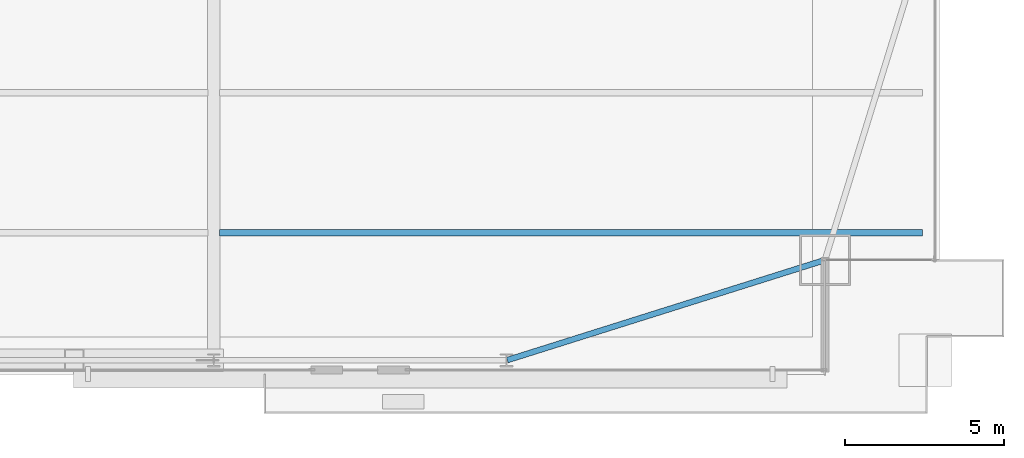
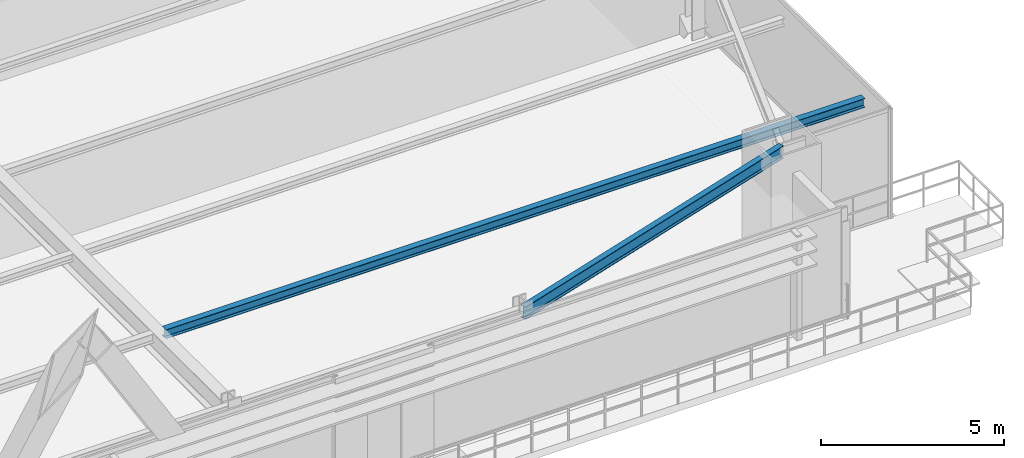
# One storey, part 16 of 34: 2 beams.
"""IFC4 building model written with IfcOpenShell, lengths in metres."""

import ifcopenshell
import ifcopenshell.guid

model = None  # the IFC model being written
_history = None  # IfcOwnerHistory: only IFC2X3 demands one
_inside = {}  # id of a spatial element -> (the spatial element, [elements in it])
_under = {}  # id of a project, library or spatial element -> (it, [spatial elements below it])
_declared = {}  # id of a project -> (the project, [libraries it declares])
_typed = {}  # id of a type object -> (the type object, [elements of that type])
_made_of = {}  # id of a material, layer set ... -> (it, [elements and type objects made of it])


def new_model(schema):
    """Start an empty IFC model of exactly this schema.

    Asked for "IFC4X3", IfcOpenShell would pick the latest addendum, in which some entities
    have other attributes; the version numbers below select the first issue.
    IFC2X3 requires an IfcOwnerHistory on every rooted entity: one is made here for all.
    """
    global model, _history
    if schema == "IFC4X3":
        model = ifcopenshell.file(schema_version=(4, 3, 0, 0))
    else:
        model = ifcopenshell.file(schema=schema)
    _inside.clear()
    _under.clear()
    _declared.clear()
    _typed.clear()
    _made_of.clear()
    _history = None
    if model.schema == "IFC2X3":
        org = make("IfcOrganization", Name="unknown")
        user = make(
            "IfcPersonAndOrganization",
            ThePerson=make("IfcPerson", FamilyName="unknown"),
            TheOrganization=org,
        )
        app = make(
            "IfcApplication",
            ApplicationDeveloper=org,
            Version="unknown",
            ApplicationFullName="unknown",
            ApplicationIdentifier="unknown",
        )
        _history = make(
            "IfcOwnerHistory",
            OwningUser=user,
            OwningApplication=app,
            ChangeAction="ADDED",
            CreationDate=0,
        )
    return model


def make(cls, **values):
    """One entity of the class cls with the attributes given. An attribute that is None is left unset."""
    return model.create_entity(
        cls, **{name: value for name, value in values.items() if value is not None}
    )


def rooted(cls, **values):
    """An entity with a GlobalId (a new one), such as an element, a storey or a relation."""
    return make(cls, GlobalId=ifcopenshell.guid.new(), OwnerHistory=_history, **values)


def si_unit(unit_type, name, prefix=None):
    """IfcSIUnit, for example si_unit("LENGTHUNIT", "METRE", prefix="MILLI")."""
    return make("IfcSIUnit", UnitType=unit_type, Prefix=prefix, Name=name)


def assignment(units):
    """IfcUnitAssignment: the units of a project."""
    return None if units is None else make("IfcUnitAssignment", Units=units)


def point(xyz):
    """IfcCartesianPoint."""
    return None if xyz is None else make("IfcCartesianPoint", Coordinates=xyz)


def direction(xyz):
    """IfcDirection."""
    return None if xyz is None else make("IfcDirection", DirectionRatios=xyz)


def frame(location, z_axis=None, x_axis=None):
    """IfcAxis2Placement3D, a coordinate frame: its origin and axes. An axis left out is left unset."""
    return make(
        "IfcAxis2Placement3D",
        Location=point(location),
        Axis=direction(z_axis),
        RefDirection=direction(x_axis),
    )


def frame_2d(location, x_axis=None):
    """IfcAxis2Placement2D, a coordinate frame in the plane: its origin and x axis."""
    return make(
        "IfcAxis2Placement2D", Location=point(location), RefDirection=direction(x_axis)
    )


def origin():
    """The frame at (0, 0, 0) with its axes left unset."""
    return frame((0.0, 0.0, 0.0))


def origin_2d():
    """The frame at (0, 0) in the plane with its x axis left unset."""
    return frame_2d((0.0, 0.0))


def place(relative_to, where):
    """IfcLocalPlacement: puts the frame where relative to a parent placement (None: the world)."""
    return make(
        "IfcLocalPlacement", PlacementRelTo=relative_to, RelativePlacement=where
    )


def context(
    kind, dimensions, precision=None, world=None, true_north=None, identifier=None
):
    """IfcGeometricRepresentationContext, for example the 3D "Model" context."""
    return make(
        "IfcGeometricRepresentationContext",
        ContextIdentifier=identifier,
        ContextType=kind,
        CoordinateSpaceDimension=dimensions,
        Precision=precision,
        WorldCoordinateSystem=world,
        TrueNorth=true_north,
    )


def subcontext(parent, identifier, kind, view, scale=None):
    """IfcGeometricRepresentationSubContext, for example "Body" below "Model"."""
    return make(
        "IfcGeometricRepresentationSubContext",
        ContextIdentifier=identifier,
        ContextType=kind,
        ParentContext=parent,
        TargetScale=scale,
        TargetView=view,
    )


def project(units=None, contexts=None):
    """IfcProject with its units and contexts."""
    return rooted(
        "IfcProject",
        Name="project",
        RepresentationContexts=contexts,
        UnitsInContext=assignment(units),
    )


def spatial(cls, under=None, at=None, **own):
    """A site, building, storey or space (cls), placed at a placement, below another one or the project."""
    s = rooted(cls, ObjectPlacement=at, **own)
    if under is not None:
        _under.setdefault(under.id(), (under, []))[1].append(s)
    return s


def profile(cls, at=None, kind="AREA", **sizes):
    """A parametric profile (cls). Its sizes go by their IFC names, for example OverallWidth=200.0."""
    return make(cls, ProfileType=kind, Position=at, **sizes)


def i_section(**sizes):
    """IfcIShapeProfileDef."""
    return profile("IfcIShapeProfileDef", **sizes)


def extrude(swept, where, along, depth):
    """IfcExtrudedAreaSolid: the profile swept, set in the frame where, extruded along a direction by depth."""
    return make(
        "IfcExtrudedAreaSolid",
        SweptArea=swept,
        Position=where,
        ExtrudedDirection=direction(along),
        Depth=depth,
    )


def shape(context_of_items, identifier, shape_type, items):
    """IfcShapeRepresentation: the items that make up one representation, for example the "Body"."""
    return make(
        "IfcShapeRepresentation",
        ContextOfItems=context_of_items,
        RepresentationIdentifier=identifier,
        RepresentationType=shape_type,
        Items=items,
    )


def source(mapping_origin, context_of_items, identifier, shape_type, items):
    """IfcRepresentationMap: a shape defined once, which mapped items show again and again."""
    return make(
        "IfcRepresentationMap",
        MappingOrigin=mapping_origin,
        MappedRepresentation=shape(context_of_items, identifier, shape_type, items),
    )


def transform(
    local_origin,
    x_axis=None,
    y_axis=None,
    z_axis=None,
    scale=None,
    scale2=None,
    scale3=None,
    uniform=True,
):
    """IfcCartesianTransformationOperator3D, or its non-uniform kind. x_axis, y_axis, z_axis: its Axis1, 2, 3."""
    if uniform:
        return make(
            "IfcCartesianTransformationOperator3D",
            Axis1=direction(x_axis),
            Axis2=direction(y_axis),
            LocalOrigin=point(local_origin),
            Scale=scale,
            Axis3=direction(z_axis),
        )
    return make(
        "IfcCartesianTransformationOperator3DnonUniform",
        Axis1=direction(x_axis),
        Axis2=direction(y_axis),
        LocalOrigin=point(local_origin),
        Scale=scale,
        Axis3=direction(z_axis),
        Scale2=scale2,
        Scale3=scale3,
    )


def mapped(mapping_source, mapping_target):
    """IfcMappedItem: shows the shape of a source again, moved by a transform."""
    return make(
        "IfcMappedItem", MappingSource=mapping_source, MappingTarget=mapping_target
    )


def material(Name=None, Category=None):
    """IfcMaterial."""
    return make("IfcMaterial", Name=Name, Category=Category)


def material_profile(
    of_material, cross_section, Name=None, Category=None, Priority=None
):
    """IfcMaterialProfile: a cross section and its material."""
    return make(
        "IfcMaterialProfile",
        Name=Name,
        Material=of_material,
        Profile=cross_section,
        Priority=Priority,
        Category=Category,
    )


def profile_set(profiles, Name=None, composite=None):
    """IfcMaterialProfileSet."""
    return make(
        "IfcMaterialProfileSet",
        Name=Name,
        MaterialProfiles=profiles,
        CompositeProfile=composite,
    )


def made_of(thing, what):
    """Note that an element or type object is made of a material, layer set ...; save() writes the relation."""
    if what is not None:
        _made_of.setdefault(what.id(), (what, []))[1].append(thing)
    return thing


def type_object(cls, material=None, **own):
    """A type object (cls), such as IfcWallType, which elements share."""
    return made_of(rooted(cls, **own), material)


def type_shapes(of_type, sources):
    """Give a type object the sources (RepresentationMaps) that its elements show as mapped items."""
    of_type.RepresentationMaps = sources


def element(
    cls,
    number,
    at=None,
    inside=None,
    cuts=None,
    type_object=None,
    material=None,
    context=None,
    identifier="Body",
    shape_type=None,
    held_by="IfcProductDefinitionShape",
    body=None,
    shapes=None,
    **own,
):
    """One element of the class cls, such as IfcWall. Its Tag is "e" and its number.

    at: its placement. inside: the storey or other place that contains it. cuts: it is an
    opening in that element (IfcRelVoidsElement). A single representation is given by context,
    identifier, shape_type and body (its items); several are given by shapes. held_by: the class
    of the entity that holds the representations. save() writes the other relations.
    """
    e = rooted(cls, Tag="e%d" % number, ObjectPlacement=at, **own)
    if body is not None:
        shapes = [shape(context, identifier, shape_type, body)]
    if shapes is not None:
        e.Representation = make(held_by, Representations=shapes)
    if inside is not None:
        _inside.setdefault(inside.id(), (inside, []))[1].append(e)
    if cuts is not None:
        rooted(
            "IfcRelVoidsElement", RelatingBuildingElement=cuts, RelatedOpeningElement=e
        )
    if type_object is not None:
        _typed.setdefault(type_object.id(), (type_object, []))[1].append(e)
    return made_of(e, material)


def aggregate(whole, parts):
    """IfcRelAggregates: a whole, such as a stair, and the parts it consists of."""
    return rooted("IfcRelAggregates", RelatingObject=whole, RelatedObjects=parts)


def save(model, path):
    """Write the relations noted so far, then the file.

    IfcRelAggregates (storeys below a building ...), IfcRelContainedInSpatialStructure (elements
    in a storey), IfcRelDefinesByType, IfcRelAssociatesMaterial and IfcRelDeclares: one each for
    every whole, place, type object, material and project.
    """
    for whole, parts in _under.values():
        aggregate(whole, parts)
    for where, things in _inside.values():
        rooted(
            "IfcRelContainedInSpatialStructure",
            RelatedElements=things,
            RelatingStructure=where,
        )
    for kind, things in _typed.values():
        rooted("IfcRelDefinesByType", RelatedObjects=things, RelatingType=kind)
    for what, things in _made_of.values():
        rooted("IfcRelAssociatesMaterial", RelatedObjects=things, RelatingMaterial=what)
    for by, libraries in _declared.values():
        rooted("IfcRelDeclares", RelatingContext=by, RelatedDefinitions=libraries)
    model.write(path)


model = new_model("IFC4")

# Units and contexts
model_context = context("Model", 3, precision=1e-05, world=origin(), true_north=direction((0.0, 1.0)))
body_context = subcontext(model_context, "Body", "Model", "MODEL_VIEW")
ifc_project = project(units=[si_unit("LENGTHUNIT", "METRE"), si_unit("AREAUNIT", "SQUARE_METRE"), si_unit("VOLUMEUNIT", "CUBIC_METRE"), si_unit("PLANEANGLEUNIT", "RADIAN"), si_unit("MASSUNIT", "GRAM", prefix="KILO")], contexts=[model_context])

# Site, building, storey
site_placement = place(None, origin())
site = spatial("IfcSite", under=ifc_project, at=site_placement, CompositionType="ELEMENT")
building_placement = place(site_placement, origin())
building = spatial("IfcBuilding", under=site, at=building_placement, Name="Varnel Quay Broadcast Tower", CompositionType="ELEMENT")
storey_placement = place(building_placement, frame((0.0, 0.0, 27.60009765625)))
storey = spatial("IfcBuildingStorey", under=building, at=storey_placement, Name="L05", CompositionType="ELEMENT", Elevation=27.60009765625)

# Beams
ifc_material = material(Name="Structural Steel CSA G40.21 350W", Category="steel")
ifc_material_profile_1 = material_profile(ifc_material, i_section(OverallWidth=0.180908203125, OverallDepth=0.4169921875, WebThickness=0.010986328125, FlangeThickness=0.018310546875, FilletRadius=0.011962890625, at=origin_2d()), Name="W410X85")
ifc_profile_set_1 = profile_set([ifc_material_profile_1], Name="Structural Steel CSA G40.21 350W")
beam_type_1 = type_object("IfcBeamType", Name="Beam_W410X85", PredefinedType="SPANDREL", material=ifc_profile_set_1)
shared_shape_1 = source(origin(), body_context, "Body", "SweptSolid", [
    extrude(i_section(OverallWidth=0.180908203125, OverallDepth=0.4169921875, WebThickness=0.010986328125, FlangeThickness=0.018310546875, FilletRadius=0.011962890625, at=origin_2d()), origin(), (0.0, 0.0, 1.0), 10.444091796875),
])
type_shapes(beam_type_1, [shared_shape_1])
beam_1_placement = place(storey_placement, frame((52.419189453125, 1.656005859375, 3.44140625), z_axis=(0.953798277271, 0.300447743003, 0.0), x_axis=(-0.300447743003, 0.953798277271, 0.0)))
element("IfcBeam", 1, at=beam_1_placement, inside=storey, type_object=beam_type_1, Name="L05 South Spandrel TC-S5-MC-SE", PredefinedType="SPANDREL", context=body_context, shape_type="MappedRepresentation", body=[
    mapped(shared_shape_1, transform((0.0, 0.0, 0.0), x_axis=(1.0, 0.0, 0.0), y_axis=(0.0, 1.0, 0.0), z_axis=(0.0, 0.0, 1.0), scale=1.0)),
])
ifc_material_profile_2 = material_profile(ifc_material, i_section(OverallWidth=0.202880859375, OverallDepth=0.302978515625, WebThickness=0.007568359375, FlangeThickness=0.01318359375, FilletRadius=0.011962890625, at=origin_2d()), Name="W310X60")
ifc_profile_set_2 = profile_set([ifc_material_profile_2], Name="Structural Steel CSA G40.21 350W")
beam_type_2 = type_object("IfcBeamType", Name="Beam_W310X60", PredefinedType="JOIST", material=ifc_profile_set_2)
shared_shape_2 = source(origin(), body_context, "Body", "SweptSolid", [
    extrude(i_section(OverallWidth=0.202880859375, OverallDepth=0.302978515625, WebThickness=0.007568359375, FlangeThickness=0.01318359375, FilletRadius=0.011962890625, at=origin_2d()), origin(), (0.0, 0.0, 1.0), 22.0791015625),
])
type_shapes(beam_type_2, [shared_shape_2])
beam_2_placement = place(storey_placement, frame((43.385498046875, 5.64990234375, 3.498291015625), z_axis=(1.0, 0.0, 0.0), x_axis=(0.0, 1.0, 0.0)))
element("IfcBeam", 2, at=beam_2_placement, inside=storey, type_object=beam_type_2, Name="L05 East Floor Joist 1", PredefinedType="JOIST", context=body_context, shape_type="MappedRepresentation", body=[
    mapped(shared_shape_2, transform((0.0, 0.0, 0.0), x_axis=(1.0, 0.0, 0.0), y_axis=(0.0, 1.0, 0.0), z_axis=(0.0, 0.0, 1.0), scale=1.0)),
])

save(model, "model.ifc")
